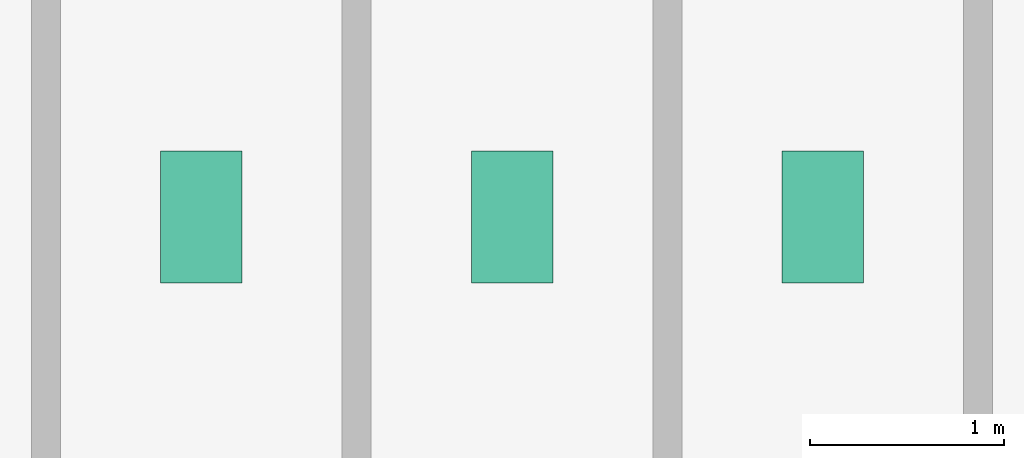
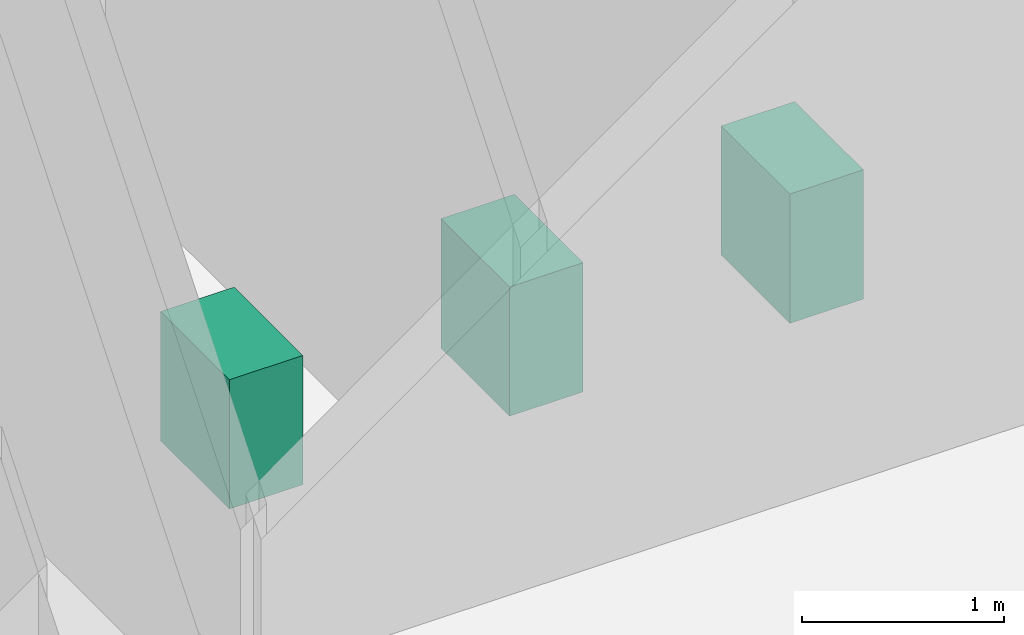
# One storey, part 22 of 22: 3 sanitary terminals.
"""IFC4 building model written with IfcOpenShell, lengths in metres."""

from ifc_helpers import new_model, si_unit, derived_unit, direction, frame, origin, origin_2d, place, context, subcontext, project, spatial, rectangle, extrude, source, transform, mapped, material, type_object, element, save


model = new_model("IFC4")

# Units and contexts
model_context = context("Model", 3, precision=1e-05, world=origin(), true_north=direction((0.0, 1.0)))
body_context = subcontext(model_context, "Body", "Model", "MODEL_VIEW")
ifc_project = project(units=[si_unit("LENGTHUNIT", "METRE"), si_unit("AREAUNIT", "SQUARE_METRE"), si_unit("VOLUMEUNIT", "CUBIC_METRE"), si_unit("PLANEANGLEUNIT", "RADIAN"), si_unit("MASSUNIT", "GRAM", prefix="KILO"), derived_unit("THERMALTRANSMITTANCEUNIT", [(si_unit("POWERUNIT", "WATT"), 1), (si_unit("LENGTHUNIT", "METRE"), -2), (si_unit("THERMODYNAMICTEMPERATUREUNIT", "KELVIN"), -1)])], contexts=[model_context])

# Site, building, storey
site_placement = place(None, origin())
site = spatial("IfcSite", under=ifc_project, at=site_placement, CompositionType="ELEMENT")
building_placement = place(site_placement, origin())
building = spatial("IfcBuilding", under=site, at=building_placement, Name="Skarnbrae Concourse Arena and Tower", CompositionType="ELEMENT")
storey_placement = place(building_placement, frame((0.0, 0.0, 277.050048828125)))
storey = spatial("IfcBuildingStorey", under=building, at=storey_placement, Name="L72", CompositionType="ELEMENT", Elevation=277.050048828125)

# Sanitary terminals
ifc_material = material(Name="Vitreous china sanitaryware", Category="other")
sanitary_terminal_type = type_object("IfcSanitaryTerminalType", Name="SAN-WC-VITREOUS", PredefinedType="TOILETPAN", material=ifc_material)
shared_shape = source(origin(), body_context, "Body", "SweptSolid", [
    extrude(rectangle(XDim=0.419921875, YDim=0.679931640625, at=origin_2d()), origin(), (0.0, 0.0, 1.0), 0.780029296875),
])
for number, where, z_axis, x_axis, name in (
    (1, (35.0, 11.39990234375, 0.0), (0.0, 0.0, 1.0), (1.0, 0.0, 0.0), "L72 Washroom WC fixture 1"),
    (2, (36.60009765625, 11.39990234375, 0.0), (0.0, 0.0, 1.0), (1.0, 0.0, 0.0), "L72 Washroom WC fixture 2"),
    (3, (38.199951171875, 11.39990234375, 0.0), (0.0, 0.0, 1.0), (1.0, 0.0, 0.0), "L72 Washroom WC fixture 3"),
):
    element("IfcSanitaryTerminal", number, at=place(storey_placement, frame(where, z_axis=z_axis, x_axis=x_axis)), inside=storey, type_object=sanitary_terminal_type, Name=name, PredefinedType="TOILETPAN", context=body_context, shape_type="MappedRepresentation", body=[
        mapped(shared_shape, transform((0.0, 0.0, 0.0))),
    ])

save(model, "model.ifc")
